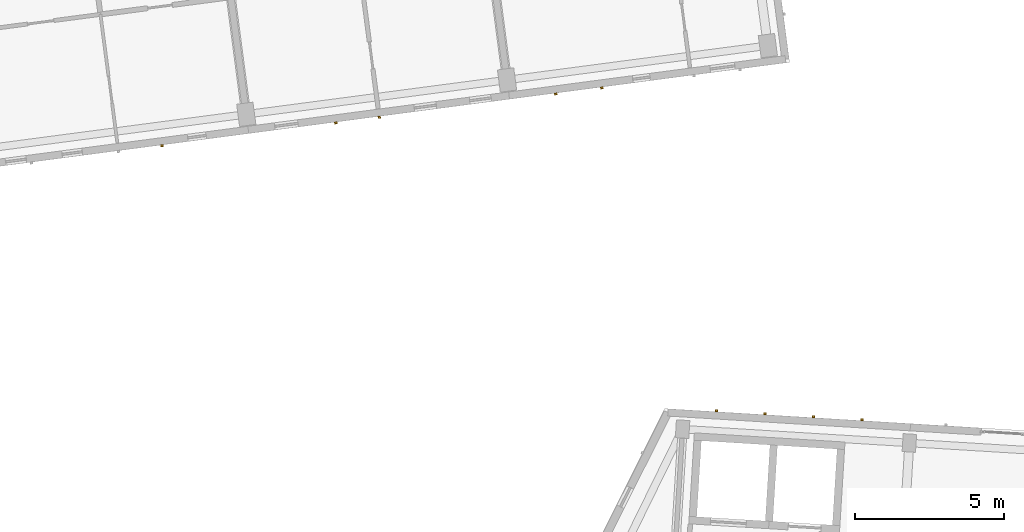
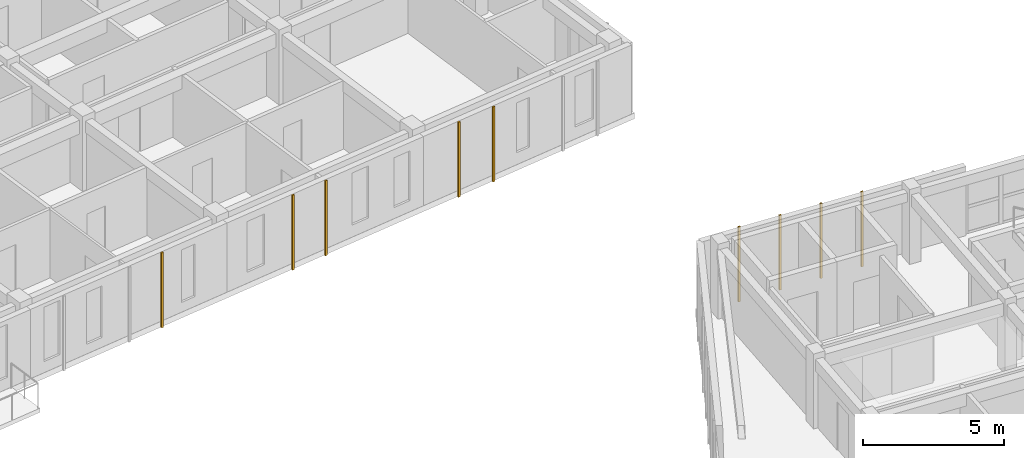
# One storey, part 44 of 65: 9 coverings.
"""IFC4 building model written with IfcOpenShell, lengths in metres."""

from ifc_helpers import new_model, si_unit, direction, frame, origin, origin_2d, place, context, subcontext, project, spatial, rectangle, extrude, material, layer, layer_set, type_object, element, save


model = new_model("IFC4")

# Units and contexts
model_context = context("Model", 3, precision=1e-05, world=origin(), true_north=direction((0.0, 1.0)))
body_context = subcontext(model_context, "Body", "Model", "MODEL_VIEW")
ifc_project = project(units=[si_unit("LENGTHUNIT", "METRE"), si_unit("AREAUNIT", "SQUARE_METRE"), si_unit("VOLUMEUNIT", "CUBIC_METRE"), si_unit("PLANEANGLEUNIT", "RADIAN"), si_unit("MASSUNIT", "GRAM", prefix="KILO")], contexts=[model_context])

# Site, building, storey
site_placement = place(None, origin())
site = spatial("IfcSite", under=ifc_project, at=site_placement, CompositionType="ELEMENT")
building_placement = place(site_placement, origin())
building = spatial("IfcBuilding", under=site, at=building_placement, Name="Kestramere Prow Commons", CompositionType="ELEMENT")
storey_placement = place(building_placement, frame((0.0, 0.0, 21.39990234375)))
storey = spatial("IfcBuildingStorey", under=building, at=storey_placement, Name="L06", CompositionType="ELEMENT", Elevation=21.39990234375)

# Coverings
ifc_material = material(Name="Weathered Zinc-Titanium Standing-Seam Cladding")
ifc_layer = layer(ifc_material, 0.074951171875)
ifc_layer_set = layer_set([ifc_layer], Name="Weathered Zinc-Titanium Standing-Seam Cladding")
covering_type = type_object("IfcCoveringType", Name="COV-CLAD-SEAM", PredefinedType="CLADDING", material=ifc_layer_set)
for number, where, z_axis, x_axis, name in (
    (1, (43.279052734375, 75.5400390625, -0.25), (0.0, 0.0, 1.0), (-0.991444861374, -0.13052619222, 0.0), "EW-A-L06-S-3 Standing-Seam Rib 2"),
    (2, (50.549560546875, 76.4970703125, -0.25), (0.0, 0.0, 1.0), (-0.991444861374, -0.13052619222, 0.0), "EW-A-L06-S-4 Standing-Seam Rib 3"),
    (3, (49.095458984375, 76.3056640625, -0.25), (0.0, 0.0, 1.0), (-0.991444861374, -0.13052619222, 0.0), "EW-A-L06-S-4 Standing-Seam Rib 4"),
    (4, (57.99365234375, 77.47705078125, -0.25), (0.0, 0.0, 1.0), (-0.991444861374, -0.13052619222, 0.0), "EW-A-L06-S-5 Standing-Seam Rib 4"),
    (5, (56.452880859375, 77.2744140625, -0.25), (0.0, 0.0, 1.0), (-0.991444861374, -0.13052619222, 0.0), "EW-A-L06-S-5 Standing-Seam Rib 5"),
    (6, (61.8359375, 66.672607421875, -0.25), (0.0, 0.0, 1.0), (0.998134798422, -0.061048539535, 0.0), "EW-C-L06-N-0 Standing-Seam Rib 1"),
    (7, (63.457763671875, 66.5732421875, -0.25), (0.0, 0.0, 1.0), (0.998134798422, -0.061048539535, 0.0), "EW-C-L06-N-0 Standing-Seam Rib 2"),
    (8, (65.079833984375, 66.47412109375, -0.25), (0.0, 0.0, 1.0), (0.998134798422, -0.061048539535, 0.0), "EW-C-L06-N-0 Standing-Seam Rib 3"),
    (9, (66.70166015625, 66.375, -0.25), (0.0, 0.0, 1.0), (0.998134798422, -0.061048539535, 0.0), "EW-C-L06-N-0 Standing-Seam Rib 4"),
):
    element("IfcCovering", number, at=place(storey_placement, frame(where, z_axis=z_axis, x_axis=x_axis)), inside=storey, type_object=covering_type, Name=name, PredefinedType="CLADDING", context=body_context, shape_type="SweptSolid", body=[
        extrude(rectangle(XDim=0.0849609375, YDim=0.06494140625, at=origin_2d()), origin(), (0.0, 0.0, 1.0), 3.25),
    ])

save(model, "model.ifc")
